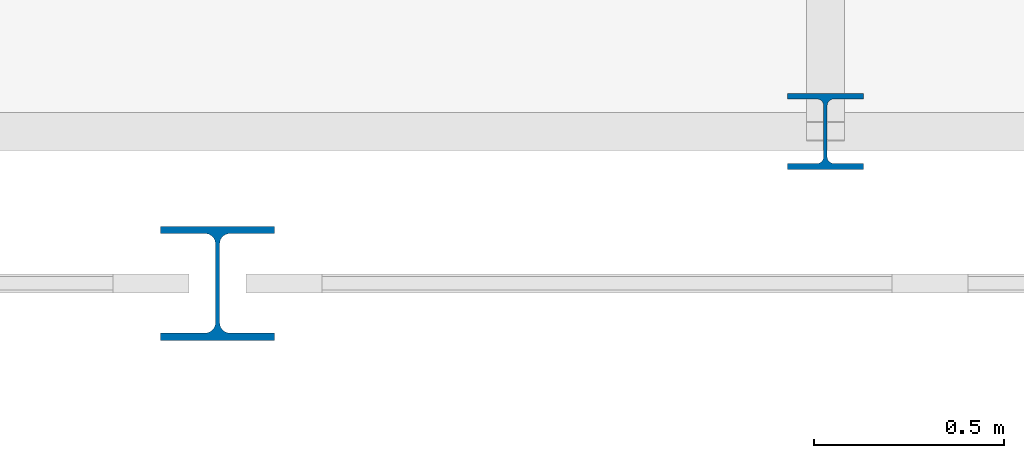
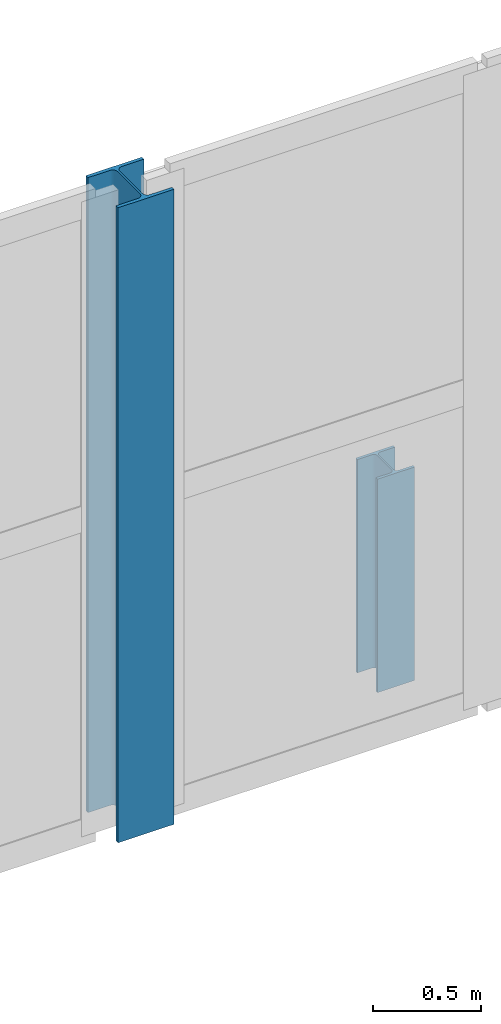
# One storey, part 22 of 124: 2 columns.
"""IFC4 building model written with IfcOpenShell, lengths in metres."""

from ifc_helpers import new_model, si_unit, direction, frame, origin, origin_2d, place, context, subcontext, project, spatial, i_section, extrude, material, material_profile, profile_set, type_object, element, save


model = new_model("IFC4")

# Units and contexts
model_context = context("Model", 3, precision=1e-05, world=origin(), true_north=direction((0.0, 1.0)))
body_context = subcontext(model_context, "Body", "Model", "MODEL_VIEW")
ifc_project = project(units=[si_unit("LENGTHUNIT", "METRE"), si_unit("AREAUNIT", "SQUARE_METRE"), si_unit("VOLUMEUNIT", "CUBIC_METRE"), si_unit("PLANEANGLEUNIT", "RADIAN"), si_unit("MASSUNIT", "GRAM", prefix="KILO")], contexts=[model_context])

# Site, building, storey
site_placement = place(None, origin())
site = spatial("IfcSite", under=ifc_project, at=site_placement, CompositionType="ELEMENT")
building_placement = place(site_placement, origin())
building = spatial("IfcBuilding", under=site, at=building_placement, Name="Kupolbacken Congress Centre", CompositionType="ELEMENT")
storey_placement = place(building_placement, frame((0.0, 0.0, 10.800048828125)))
storey = spatial("IfcBuildingStorey", under=building, at=storey_placement, Name="L03", CompositionType="ELEMENT", Elevation=10.800048828125)

# Columns
ifc_material_1 = material(Name="Steel S355", Category="steel")
ifc_material_profile_1 = material_profile(ifc_material_1, i_section(OverallWidth=0.300048828125, OverallDepth=0.300048828125, WebThickness=0.010986328125, FlangeThickness=0.01904296875, FilletRadius=0.027099609375, at=origin_2d()), Name="HEB 300")
ifc_profile_set_1 = profile_set([ifc_material_profile_1], Name="Steel S355")
column_type_1 = type_object("IfcColumnType", Name="C06 column HEB 300", PredefinedType="COLUMN", material=ifc_profile_set_1)
column_1_placement = place(storey_placement, frame((194.39990234375, 151.199951171875, 0.0), z_axis=(0.0, 0.0, 1.0), x_axis=(1.0, 0.0, 0.0)))
element("IfcColumn", 1, at=column_1_placement, inside=storey, type_object=column_type_1, Name="S/col/C-B-B7N/L03", PredefinedType="COLUMN", context=body_context, shape_type="SweptSolid", body=[
    extrude(i_section(OverallWidth=0.300048828125, OverallDepth=0.300048828125, WebThickness=0.010986328125, FlangeThickness=0.01904296875, FilletRadius=0.027099609375, at=origin_2d()), origin(), (0.0, 0.0, 1.0), 3.599853515625),
])
ifc_material_2 = material(Name="Steel S355", Category="steel")
ifc_material_profile_2 = material_profile(ifc_material_2, i_section(OverallWidth=0.199951171875, OverallDepth=0.199951171875, WebThickness=0.009033203125, FlangeThickness=0.014892578125, FilletRadius=0.01806640625, at=origin_2d()), Name="HEB 200")
ifc_profile_set_2 = profile_set([ifc_material_profile_2], Name="Steel S355")
column_type_2 = type_object("IfcColumnType", Name="C11 column HEB 200", PredefinedType="COLUMN", material=ifc_profile_set_2)
column_2_placement = place(storey_placement, frame((196.0, 151.60009765625, 0.0), z_axis=(0.0, 0.0, 1.0), x_axis=(1.0, 0.0, 0.0)))
element("IfcColumn", 2, at=column_2_placement, inside=storey, type_object=column_type_2, Name="Covered passage column", PredefinedType="COLUMN", context=body_context, shape_type="SweptSolid", body=[
    extrude(i_section(OverallWidth=0.199951171875, OverallDepth=0.199951171875, WebThickness=0.009033203125, FlangeThickness=0.014892578125, FilletRadius=0.01806640625, at=origin_2d()), origin(), (0.0, 0.0, 1.0), 1.2099609375),
])

save(model, "model.ifc")
